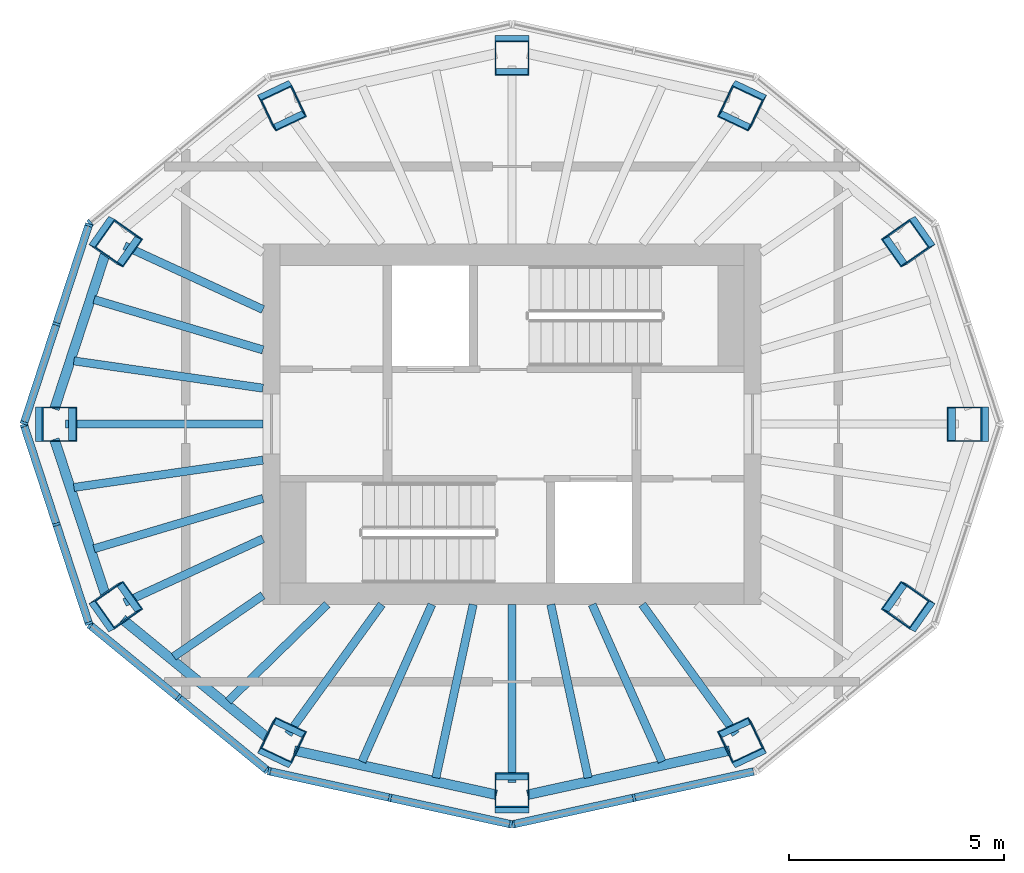
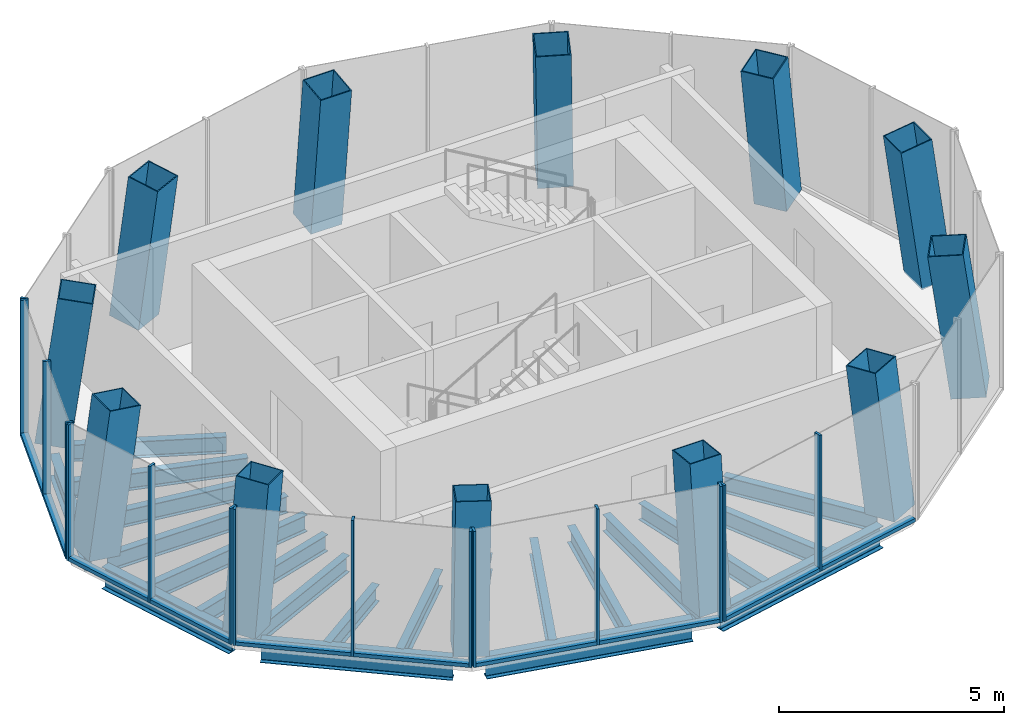
# One storey, part 1 of 5: 25 members, 21 beams, 12 columns, 6 elements without a shape of their own.
"""IFC4 building model written with IfcOpenShell, lengths in metres."""

from ifc_helpers import new_model, si_unit, direction, frame, origin, origin_2d, place, context, subcontext, project, spatial, rectangle, hollow_rectangle, i_section, extrude, material, layer, layer_set, material_profile, profile_set, type_object, element, aggregate, save


model = new_model("IFC4")

# Units and contexts
model_context = context("Model", 3, precision=1e-05, world=origin(), true_north=direction((0.0, 1.0)))
body_context = subcontext(model_context, "Body", "Model", "MODEL_VIEW")
ifc_project = project(units=[si_unit("LENGTHUNIT", "METRE"), si_unit("AREAUNIT", "SQUARE_METRE"), si_unit("VOLUMEUNIT", "CUBIC_METRE"), si_unit("PLANEANGLEUNIT", "RADIAN"), si_unit("MASSUNIT", "GRAM", prefix="KILO")], contexts=[model_context])

# Site, building, storey
site_placement = place(None, origin())
site = spatial("IfcSite", under=ifc_project, at=site_placement, CompositionType="ELEMENT")
building_placement = place(site_placement, origin())
building = spatial("IfcBuilding", under=site, at=building_placement, Name="Siaravel Broadcast Tower", CompositionType="ELEMENT")
storey_placement = place(building_placement, frame((0.0, 0.0, 284.300048828125)))
storey = spatial("IfcBuildingStorey", under=building, at=storey_placement, Name="L69", CompositionType="ELEMENT", Elevation=284.300048828125)

# Columns
ifc_material_1 = material(Name="Concrete C50/60", Category="concrete")
ifc_material_profile_1 = material_profile(ifc_material_1, hollow_rectangle(XDim=0.800048828125, YDim=0.800048828125, WallThickness=0.02490234375, at=origin_2d()))
ifc_profile_set_1 = profile_set([ifc_material_profile_1], Name="Concrete C50/60")
column_type = type_object("IfcColumnType", Name="Crown rib CFT BOX 800x800x25", PredefinedType="COLUMN", material=ifc_profile_set_1)
column_1_placement = place(storey_placement, frame((10.70263671875, 0.0, 0.0), z_axis=(-0.136861927, 0.0, 0.990590134), x_axis=(0.0, -1.0, 0.0)))
element("IfcColumn", 1, at=column_1_placement, inside=storey, type_object=column_type, Name="Crown rib 01", PredefinedType="COLUMN", context=body_context, shape_type="SweptSolid", body=[
    extrude(hollow_rectangle(XDim=0.800048828125, YDim=0.800048828125, WallThickness=0.02490234375, at=origin_2d()), origin(), (0.0, 0.0, 1.0), 3.93701171875),
])
column_2_placement = place(storey_placement, frame((9.299072265625, 4.2802734375, 0.0), z_axis=(-0.119034705, -0.054800649, 0.991376633), x_axis=(0.574755771, -0.817978965, 0.023795301)))
element("IfcColumn", 2, at=column_2_placement, inside=storey, type_object=column_type, Name="Crown rib 02", PredefinedType="COLUMN", context=body_context, shape_type="SweptSolid", body=[
    extrude(hollow_rectangle(XDim=0.800048828125, YDim=0.800048828125, WallThickness=0.02490234375, at=origin_2d()), origin(), (0.0, 0.0, 1.0), 3.933837890625),
])
column_3_placement = place(storey_placement, frame((5.396240234375, 7.4716796875, 0.0), z_axis=(-0.069187562, -0.095793381, 0.992993811), x_axis=(0.903250872, -0.428569359, 0.021590888)))
element("IfcColumn", 3, at=column_3_placement, inside=storey, type_object=column_type, Name="Crown rib 03", PredefinedType="COLUMN", context=body_context, shape_type="SweptSolid", body=[
    extrude(hollow_rectangle(XDim=0.800048828125, YDim=0.800048828125, WallThickness=0.02490234375, at=origin_2d()), origin(), (0.0, 0.0, 1.0), 3.927490234375),
])
column_4_placement = place(storey_placement, frame((0.0, 8.65478515625, 0.0), z_axis=(0.0, -0.111114337, 0.993807629), x_axis=(1.0, 0.0, 0.0)))
element("IfcColumn", 4, at=column_4_placement, inside=storey, type_object=column_type, Name="Crown rib 04", PredefinedType="COLUMN", context=body_context, shape_type="SweptSolid", body=[
    extrude(hollow_rectangle(XDim=0.800048828125, YDim=0.800048828125, WallThickness=0.02490234375, at=origin_2d()), origin(), (0.0, 0.0, 1.0), 3.92431640625),
])
column_5_placement = place(storey_placement, frame((-5.396240234375, 7.4716796875, 0.0), z_axis=(0.069187562, -0.095793381, 0.992993811), x_axis=(0.903250872, 0.428569359, -0.021590888)))
element("IfcColumn", 5, at=column_5_placement, inside=storey, type_object=column_type, Name="Crown rib 05", PredefinedType="COLUMN", context=body_context, shape_type="SweptSolid", body=[
    extrude(hollow_rectangle(XDim=0.800048828125, YDim=0.800048828125, WallThickness=0.02490234375, at=origin_2d()), origin(), (0.0, 0.0, 1.0), 3.927490234375),
])
column_6_placement = place(storey_placement, frame((-9.299072265625, 4.2802734375, 0.0), z_axis=(0.119034705, -0.054800649, 0.991376633), x_axis=(0.574755771, 0.817978965, -0.023795301)))
element("IfcColumn", 6, at=column_6_placement, inside=storey, type_object=column_type, Name="Crown rib 06", PredefinedType="COLUMN", context=body_context, shape_type="SweptSolid", body=[
    extrude(hollow_rectangle(XDim=0.800048828125, YDim=0.800048828125, WallThickness=0.02490234375, at=origin_2d()), origin(), (0.0, 0.0, 1.0), 3.933837890625),
])
column_7_placement = place(storey_placement, frame((-10.70263671875, 0.0, 0.0), z_axis=(0.136861927, 0.0, 0.990590134), x_axis=(0.0, 1.0, 0.0)))
element("IfcColumn", 7, at=column_7_placement, inside=storey, type_object=column_type, Name="Crown rib 07", PredefinedType="COLUMN", context=body_context, shape_type="SweptSolid", body=[
    extrude(hollow_rectangle(XDim=0.800048828125, YDim=0.800048828125, WallThickness=0.02490234375, at=origin_2d()), origin(), (0.0, 0.0, 1.0), 3.93701171875),
])
column_8_placement = place(storey_placement, frame((-9.299072265625, -4.2802734375, 0.0), z_axis=(0.119034705, 0.054800649, 0.991376633), x_axis=(-0.574755771, 0.817978965, 0.023795301)))
element("IfcColumn", 8, at=column_8_placement, inside=storey, type_object=column_type, Name="Crown rib 08", PredefinedType="COLUMN", context=body_context, shape_type="SweptSolid", body=[
    extrude(hollow_rectangle(XDim=0.800048828125, YDim=0.800048828125, WallThickness=0.02490234375, at=origin_2d()), origin(), (0.0, 0.0, 1.0), 3.933837890625),
])
column_9_placement = place(storey_placement, frame((-5.396240234375, -7.4716796875, 0.0), z_axis=(0.069187562, 0.095793381, 0.992993811), x_axis=(-0.903250872, 0.428569359, 0.021590888)))
element("IfcColumn", 9, at=column_9_placement, inside=storey, type_object=column_type, Name="Crown rib 09", PredefinedType="COLUMN", context=body_context, shape_type="SweptSolid", body=[
    extrude(hollow_rectangle(XDim=0.800048828125, YDim=0.800048828125, WallThickness=0.02490234375, at=origin_2d()), origin(), (0.0, 0.0, 1.0), 3.927490234375),
])
column_10_placement = place(storey_placement, frame((0.0, -8.65478515625, 0.0), z_axis=(0.0, 0.111114337, 0.993807629), x_axis=(-1.0, 0.0, 0.0)))
element("IfcColumn", 10, at=column_10_placement, inside=storey, type_object=column_type, Name="Crown rib 10", PredefinedType="COLUMN", context=body_context, shape_type="SweptSolid", body=[
    extrude(hollow_rectangle(XDim=0.800048828125, YDim=0.800048828125, WallThickness=0.02490234375, at=origin_2d()), origin(), (0.0, 0.0, 1.0), 3.92431640625),
])
column_11_placement = place(storey_placement, frame((5.396240234375, -7.4716796875, 0.0), z_axis=(-0.069187562, 0.095793381, 0.992993811), x_axis=(-0.903250872, -0.428569359, -0.021590888)))
element("IfcColumn", 11, at=column_11_placement, inside=storey, type_object=column_type, Name="Crown rib 11", PredefinedType="COLUMN", context=body_context, shape_type="SweptSolid", body=[
    extrude(hollow_rectangle(XDim=0.800048828125, YDim=0.800048828125, WallThickness=0.02490234375, at=origin_2d()), origin(), (0.0, 0.0, 1.0), 3.927490234375),
])
column_12_placement = place(storey_placement, frame((9.299072265625, -4.2802734375, 0.0), z_axis=(-0.119034705, 0.054800649, 0.991376633), x_axis=(-0.574755771, -0.817978965, -0.023795301)))
element("IfcColumn", 12, at=column_12_placement, inside=storey, type_object=column_type, Name="Crown rib 12", PredefinedType="COLUMN", context=body_context, shape_type="SweptSolid", body=[
    extrude(hollow_rectangle(XDim=0.800048828125, YDim=0.800048828125, WallThickness=0.02490234375, at=origin_2d()), origin(), (0.0, 0.0, 1.0), 3.933837890625),
])

# Curtain wall, member
ifc_material_2 = material(Name="Aluminium 6063-T6", Category="aluminium")
ifc_layer = layer(ifc_material_2, 0.179931640625)
ifc_layer_set = layer_set([ifc_layer], Name="Aluminium 6063-T6")
curtain_wall_type = type_object("IfcCurtainWallType", Name="Crown glass facet wall", PredefinedType="NOTDEFINED", material=ifc_layer_set)
curtain_wall_1_placement = place(storey_placement, origin())
curtain_wall_1 = element("IfcCurtainWall", 13, at=curtain_wall_1_placement, inside=storey, type_object=curtain_wall_type, Name="L69 Crown glass facet wall 05", PredefinedType="NOTDEFINED")
ifc_material_profile_2 = material_profile(ifc_material_2, rectangle(XDim=0.179931640625, YDim=0.06005859375, at=origin_2d()))
ifc_profile_set_2 = profile_set([ifc_material_profile_2], Name="Aluminium 6063-T6")
member_type_1 = type_object("IfcMemberType", Name="CW-CR mullion", PredefinedType="MULLION", material=ifc_profile_set_2)
member_1_placement = place(storey_placement, frame((-9.822998046875, 4.684814453125, 0.0), z_axis=(0.0, 0.0, 1.0), x_axis=(0.633717624, -0.77356446, 0.0)))
member_1 = element("IfcMember", 14, at=member_1_placement, type_object=member_type_1, Name="CW-CR mullion 3", PredefinedType="MULLION", context=body_context, shape_type="SweptSolid", body=[
    extrude(rectangle(XDim=0.179931640625, YDim=0.06005859375, at=origin_2d()), origin(), (0.0, 0.0, 1.0), 3.699951171875),
])
aggregate(curtain_wall_1, [member_1])

# Curtain wall, members
curtain_wall_2_placement = place(storey_placement, origin())
curtain_wall_2 = element("IfcCurtainWall", 15, at=curtain_wall_2_placement, inside=storey, type_object=curtain_wall_type, Name="L69 Crown glass facet wall 06", PredefinedType="NOTDEFINED")
member_2_placement = place(storey_placement, frame((-9.85546875, 4.63720703125, 0.0), z_axis=(0.0, 0.0, 1.0), x_axis=(0.950457445, -0.310854701, 0.0)))
member_2 = element("IfcMember", 16, at=member_2_placement, type_object=member_type_1, Name="CW-CR mullion 1", PredefinedType="MULLION", context=body_context, shape_type="SweptSolid", body=[
    extrude(rectangle(XDim=0.179931640625, YDim=0.06005859375, at=origin_2d()), origin(), (0.0, 0.0, 1.0), 3.699951171875),
])
member_3_placement = place(storey_placement, frame((-10.609130859375, 2.3330078125, 0.0), z_axis=(0.0, 0.0, 1.0), x_axis=(0.950457445, -0.310854701, 0.0)))
member_3 = element("IfcMember", 17, at=member_3_placement, type_object=member_type_1, Name="CW-CR mullion 2", PredefinedType="MULLION", context=body_context, shape_type="SweptSolid", body=[
    extrude(rectangle(XDim=0.179931640625, YDim=0.06005859375, at=origin_2d()), origin(), (0.0, 0.0, 1.0), 3.699951171875),
])
member_4_placement = place(storey_placement, frame((-11.36279296875, 0.028564453125, 0.0), z_axis=(0.0, 0.0, 1.0), x_axis=(0.950457445, -0.310854701, 0.0)))
member_4 = element("IfcMember", 18, at=member_4_placement, type_object=member_type_1, Name="CW-CR mullion 3", PredefinedType="MULLION", context=body_context, shape_type="SweptSolid", body=[
    extrude(rectangle(XDim=0.179931640625, YDim=0.06005859375, at=origin_2d()), origin(), (0.0, 0.0, 1.0), 3.699951171875),
])

curtain_wall_3_placement = place(storey_placement, origin())
curtain_wall_3 = element("IfcCurtainWall", 19, at=curtain_wall_3_placement, inside=storey, type_object=curtain_wall_type, Name="L69 Crown glass facet wall 07", PredefinedType="NOTDEFINED")
member_5_placement = place(storey_placement, frame((-11.36279296875, -0.028564453125, 0.0), z_axis=(0.0, 0.0, 1.0), x_axis=(0.950457445, 0.310854701, 0.0)))
member_5 = element("IfcMember", 20, at=member_5_placement, type_object=member_type_1, Name="CW-CR mullion 1", PredefinedType="MULLION", context=body_context, shape_type="SweptSolid", body=[
    extrude(rectangle(XDim=0.179931640625, YDim=0.06005859375, at=origin_2d()), origin(), (0.0, 0.0, 1.0), 3.699951171875),
])
member_6_placement = place(storey_placement, frame((-10.609130859375, -2.3330078125, 0.0), z_axis=(0.0, 0.0, 1.0), x_axis=(0.950457445, 0.310854701, 0.0)))
member_6 = element("IfcMember", 21, at=member_6_placement, type_object=member_type_1, Name="CW-CR mullion 2", PredefinedType="MULLION", context=body_context, shape_type="SweptSolid", body=[
    extrude(rectangle(XDim=0.179931640625, YDim=0.06005859375, at=origin_2d()), origin(), (0.0, 0.0, 1.0), 3.699951171875),
])
member_7_placement = place(storey_placement, frame((-9.85546875, -4.63720703125, 0.0), z_axis=(0.0, 0.0, 1.0), x_axis=(0.950457445, 0.310854701, 0.0)))
member_7 = element("IfcMember", 22, at=member_7_placement, type_object=member_type_1, Name="CW-CR mullion 3", PredefinedType="MULLION", context=body_context, shape_type="SweptSolid", body=[
    extrude(rectangle(XDim=0.179931640625, YDim=0.06005859375, at=origin_2d()), origin(), (0.0, 0.0, 1.0), 3.699951171875),
])

curtain_wall_4_placement = place(storey_placement, origin())
curtain_wall_4 = element("IfcCurtainWall", 23, at=curtain_wall_4_placement, inside=storey, type_object=curtain_wall_type, Name="L69 Crown glass facet wall 08", PredefinedType="NOTDEFINED")
member_8_placement = place(storey_placement, frame((-9.822998046875, -4.684814453125, 0.0), z_axis=(0.0, 0.0, 1.0), x_axis=(0.633717624, 0.77356446, 0.0)))
member_8 = element("IfcMember", 24, at=member_8_placement, type_object=member_type_1, Name="CW-CR mullion 1", PredefinedType="MULLION", context=body_context, shape_type="SweptSolid", body=[
    extrude(rectangle(XDim=0.179931640625, YDim=0.06005859375, at=origin_2d()), origin(), (0.0, 0.0, 1.0), 3.699951171875),
])
member_9_placement = place(storey_placement, frame((-7.764404296875, -6.371337890625, 0.0), z_axis=(0.0, 0.0, 1.0), x_axis=(0.633717624, 0.77356446, 0.0)))
member_9 = element("IfcMember", 25, at=member_9_placement, type_object=member_type_1, Name="CW-CR mullion 2", PredefinedType="MULLION", context=body_context, shape_type="SweptSolid", body=[
    extrude(rectangle(XDim=0.179931640625, YDim=0.06005859375, at=origin_2d()), origin(), (0.0, 0.0, 1.0), 3.699951171875),
])
member_10_placement = place(storey_placement, frame((-5.70556640625, -8.057861328125, 0.0), z_axis=(0.0, 0.0, 1.0), x_axis=(0.633717624, 0.77356446, 0.0)))
member_10 = element("IfcMember", 26, at=member_10_placement, type_object=member_type_1, Name="CW-CR mullion 3", PredefinedType="MULLION", context=body_context, shape_type="SweptSolid", body=[
    extrude(rectangle(XDim=0.179931640625, YDim=0.06005859375, at=origin_2d()), origin(), (0.0, 0.0, 1.0), 3.699951171875),
])

curtain_wall_5_placement = place(storey_placement, origin())
curtain_wall_5 = element("IfcCurtainWall", 27, at=curtain_wall_5_placement, inside=storey, type_object=curtain_wall_type, Name="L69 Crown glass facet wall 09", PredefinedType="NOTDEFINED")
member_11_placement = place(storey_placement, frame((-5.653076171875, -8.083251953125, 0.0), z_axis=(0.0, 0.0, 1.0), x_axis=(0.214396093, 0.976746802, 0.0)))
member_11 = element("IfcMember", 28, at=member_11_placement, type_object=member_type_1, Name="CW-CR mullion 1", PredefinedType="MULLION", context=body_context, shape_type="SweptSolid", body=[
    extrude(rectangle(XDim=0.179931640625, YDim=0.06005859375, at=origin_2d()), origin(), (0.0, 0.0, 1.0), 3.699951171875),
])
member_12_placement = place(storey_placement, frame((-2.84130859375, -8.700439453125, 0.0), z_axis=(0.0, 0.0, 1.0), x_axis=(0.214396093, 0.976746802, 0.0)))
member_12 = element("IfcMember", 29, at=member_12_placement, type_object=member_type_1, Name="CW-CR mullion 2", PredefinedType="MULLION", context=body_context, shape_type="SweptSolid", body=[
    extrude(rectangle(XDim=0.179931640625, YDim=0.06005859375, at=origin_2d()), origin(), (0.0, 0.0, 1.0), 3.699951171875),
])
member_13_placement = place(storey_placement, frame((-0.029296875, -9.317626953125, 0.0), z_axis=(0.0, 0.0, 1.0), x_axis=(0.214396093, 0.976746802, 0.0)))
member_13 = element("IfcMember", 30, at=member_13_placement, type_object=member_type_1, Name="CW-CR mullion 3", PredefinedType="MULLION", context=body_context, shape_type="SweptSolid", body=[
    extrude(rectangle(XDim=0.179931640625, YDim=0.06005859375, at=origin_2d()), origin(), (0.0, 0.0, 1.0), 3.699951171875),
])

curtain_wall_6_placement = place(storey_placement, origin())
curtain_wall_6 = element("IfcCurtainWall", 31, at=curtain_wall_6_placement, inside=storey, type_object=curtain_wall_type, Name="L69 Crown glass facet wall 10", PredefinedType="NOTDEFINED")
member_14_placement = place(storey_placement, frame((0.029296875, -9.317626953125, 0.0), z_axis=(0.0, 0.0, 1.0), x_axis=(-0.214396093, 0.976746802, 0.0)))
member_14 = element("IfcMember", 32, at=member_14_placement, type_object=member_type_1, Name="CW-CR mullion 1", PredefinedType="MULLION", context=body_context, shape_type="SweptSolid", body=[
    extrude(rectangle(XDim=0.179931640625, YDim=0.06005859375, at=origin_2d()), origin(), (0.0, 0.0, 1.0), 3.699951171875),
])
member_15_placement = place(storey_placement, frame((2.84130859375, -8.700439453125, 0.0), z_axis=(0.0, 0.0, 1.0), x_axis=(-0.214396093, 0.976746802, 0.0)))
member_15 = element("IfcMember", 33, at=member_15_placement, type_object=member_type_1, Name="CW-CR mullion 2", PredefinedType="MULLION", context=body_context, shape_type="SweptSolid", body=[
    extrude(rectangle(XDim=0.179931640625, YDim=0.06005859375, at=origin_2d()), origin(), (0.0, 0.0, 1.0), 3.699951171875),
])

# Member
ifc_material_profile_3 = material_profile(ifc_material_2, rectangle(XDim=0.179931640625, YDim=0.10009765625, at=origin_2d()))
ifc_profile_set_3 = profile_set([ifc_material_profile_3], Name="Aluminium 6063-T6")
member_type_2 = type_object("IfcMemberType", Name="CW-CR transom", PredefinedType="USERDEFINED", material=ifc_profile_set_3)
member_16_placement = place(storey_placement, frame((-9.86474609375, 4.60888671875, 0.050048828125), z_axis=(-0.310864415, -0.950454268, 0.0), x_axis=(0.950454268, -0.310864415, 0.0)))
member_16 = element("IfcMember", 34, at=member_16_placement, type_object=member_type_2, Name="CW-CR transom 1", ObjectType="TRANSOM", PredefinedType="USERDEFINED", context=body_context, shape_type="SweptSolid", body=[
    extrude(rectangle(XDim=0.179931640625, YDim=0.10009765625, at=origin_2d()), origin(), (0.0, 0.0, 1.0), 2.36474609375),
])

member_17_placement = place(storey_placement, frame((-10.618408203125, 2.304443359375, 0.050048828125), z_axis=(-0.310864415, -0.950454268, 0.0), x_axis=(0.950454268, -0.310864415, 0.0)))
member_17 = element("IfcMember", 35, at=member_17_placement, type_object=member_type_2, Name="CW-CR transom 2", ObjectType="TRANSOM", PredefinedType="USERDEFINED", context=body_context, shape_type="SweptSolid", body=[
    extrude(rectangle(XDim=0.179931640625, YDim=0.10009765625, at=origin_2d()), origin(), (0.0, 0.0, 1.0), 2.36474609375),
])

aggregate(curtain_wall_2, [member_2, member_3, member_4, member_16, member_17])

member_18_placement = place(storey_placement, frame((-11.353515625, -0.056884765625, 0.050048828125), z_axis=(0.310864415, -0.950454268, 0.0), x_axis=(0.950454268, 0.310864415, 0.0)))
member_18 = element("IfcMember", 36, at=member_18_placement, type_object=member_type_2, Name="CW-CR transom 1", ObjectType="TRANSOM", PredefinedType="USERDEFINED", context=body_context, shape_type="SweptSolid", body=[
    extrude(rectangle(XDim=0.179931640625, YDim=0.10009765625, at=origin_2d()), origin(), (0.0, 0.0, 1.0), 2.36474609375),
])

member_19_placement = place(storey_placement, frame((-10.599853515625, -2.361328125, 0.050048828125), z_axis=(0.310864415, -0.950454268, 0.0), x_axis=(0.950454268, 0.310864415, 0.0)))
member_19 = element("IfcMember", 37, at=member_19_placement, type_object=member_type_2, Name="CW-CR transom 2", ObjectType="TRANSOM", PredefinedType="USERDEFINED", context=body_context, shape_type="SweptSolid", body=[
    extrude(rectangle(XDim=0.179931640625, YDim=0.10009765625, at=origin_2d()), origin(), (0.0, 0.0, 1.0), 2.36474609375),
])

aggregate(curtain_wall_3, [member_5, member_6, member_7, member_18, member_19])

member_20_placement = place(storey_placement, frame((-9.7998046875, -4.703857421875, 0.050048828125), z_axis=(0.773564069, -0.633718101, 0.0), x_axis=(0.633718101, 0.773564069, 0.0)))
member_20 = element("IfcMember", 38, at=member_20_placement, type_object=member_type_2, Name="CW-CR transom 1", ObjectType="TRANSOM", PredefinedType="USERDEFINED", context=body_context, shape_type="SweptSolid", body=[
    extrude(rectangle(XDim=0.179931640625, YDim=0.10009765625, at=origin_2d()), origin(), (0.0, 0.0, 1.0), 2.601318359375),
])

member_21_placement = place(storey_placement, frame((-7.7412109375, -6.390380859375, 0.050048828125), z_axis=(0.773601757, -0.633672093, 0.0), x_axis=(0.633672093, 0.773601757, 0.0)))
member_21 = element("IfcMember", 39, at=member_21_placement, type_object=member_type_2, Name="CW-CR transom 2", ObjectType="TRANSOM", PredefinedType="USERDEFINED", context=body_context, shape_type="SweptSolid", body=[
    extrude(rectangle(XDim=0.179931640625, YDim=0.10009765625, at=origin_2d()), origin(), (0.0, 0.0, 1.0), 2.601318359375),
])

aggregate(curtain_wall_4, [member_8, member_9, member_10, member_20, member_21])

member_22_placement = place(storey_placement, frame((-5.623779296875, -8.089599609375, 0.050048828125), z_axis=(0.976734167, -0.214453649, 0.0), x_axis=(0.214453649, 0.976734167, 0.0)))
member_22 = element("IfcMember", 40, at=member_22_placement, type_object=member_type_2, Name="CW-CR transom 1", ObjectType="TRANSOM", PredefinedType="USERDEFINED", context=body_context, shape_type="SweptSolid", body=[
    extrude(rectangle(XDim=0.179931640625, YDim=0.10009765625, at=origin_2d()), origin(), (0.0, 0.0, 1.0), 2.81884765625),
])

member_23_placement = place(storey_placement, frame((-2.81201171875, -8.706787109375, 0.050048828125), z_axis=(0.97673815, -0.214435508, 0.0), x_axis=(0.214435508, 0.97673815, 0.0)))
member_23 = element("IfcMember", 41, at=member_23_placement, type_object=member_type_2, Name="CW-CR transom 2", ObjectType="TRANSOM", PredefinedType="USERDEFINED", context=body_context, shape_type="SweptSolid", body=[
    extrude(rectangle(XDim=0.179931640625, YDim=0.10009765625, at=origin_2d()), origin(), (0.0, 0.0, 1.0), 2.819091796875),
])

aggregate(curtain_wall_5, [member_11, member_12, member_13, member_22, member_23])

member_24_placement = place(storey_placement, frame((0.05859375, -9.311279296875, 0.050048828125), z_axis=(0.97673815, 0.214435508, 0.0), x_axis=(-0.214435508, 0.97673815, 0.0)))
member_24 = element("IfcMember", 42, at=member_24_placement, type_object=member_type_2, Name="CW-CR transom 1", ObjectType="TRANSOM", PredefinedType="USERDEFINED", context=body_context, shape_type="SweptSolid", body=[
    extrude(rectangle(XDim=0.179931640625, YDim=0.10009765625, at=origin_2d()), origin(), (0.0, 0.0, 1.0), 2.819091796875),
])

member_25_placement = place(storey_placement, frame((2.87060546875, -8.694091796875, 0.050048828125), z_axis=(0.976734167, 0.214453649, 0.0), x_axis=(-0.214453649, 0.976734167, 0.0)))
member_25 = element("IfcMember", 43, at=member_25_placement, type_object=member_type_2, Name="CW-CR transom 2", ObjectType="TRANSOM", PredefinedType="USERDEFINED", context=body_context, shape_type="SweptSolid", body=[
    extrude(rectangle(XDim=0.179931640625, YDim=0.10009765625, at=origin_2d()), origin(), (0.0, 0.0, 1.0), 2.81884765625),
])

aggregate(curtain_wall_6, [member_14, member_15, member_24, member_25])

# Beams
ifc_material_3 = material(Name="Steel S355", Category="steel")
ifc_material_profile_4 = material_profile(ifc_material_3, i_section(OverallWidth=0.18994140625, OverallDepth=0.453369140625, WebThickness=0.008544921875, FlangeThickness=0.0126953125, FilletRadius=0.01025390625, at=origin_2d()))
ifc_profile_set_4 = profile_set([ifc_material_profile_4], Name="Steel S355")
beam_type_1 = type_object("IfcBeamType", Name="Crown radial beam UB 457x191x67", PredefinedType="BEAM", material=ifc_profile_set_4)
beam_1_placement = place(storey_placement, frame((-9.02294921875, 4.153076171875, -0.4267578125), z_axis=(0.908397945, -0.418106652, 0.0), x_axis=(0.418106652, 0.908397945, 0.0)))
element("IfcBeam", 44, at=beam_1_placement, inside=storey, type_object=beam_type_1, Name="Crown radial beam 4-16", PredefinedType="BEAM", context=body_context, shape_type="SweptSolid", body=[
    extrude(i_section(OverallWidth=0.18994140625, OverallDepth=0.453369140625, WebThickness=0.008544921875, FlangeThickness=0.0126953125, FilletRadius=0.01025390625, at=origin_2d()), origin(), (0.0, 0.0, 1.0), 3.5478515625),
])
beam_2_placement = place(storey_placement, frame((-9.732177734375, 2.9013671875, -0.4267578125), z_axis=(0.958329207, -0.28566612, 0.0), x_axis=(0.28566612, 0.958329207, 0.0)))
element("IfcBeam", 45, at=beam_2_placement, inside=storey, type_object=beam_type_1, Name="Crown radial beam 4-17", PredefinedType="BEAM", context=body_context, shape_type="SweptSolid", body=[
    extrude(i_section(OverallWidth=0.18994140625, OverallDepth=0.453369140625, WebThickness=0.008544921875, FlangeThickness=0.0126953125, FilletRadius=0.01025390625, at=origin_2d()), origin(), (0.0, 0.0, 1.0), 4.10302734375),
])
beam_3_placement = place(storey_placement, frame((-10.20166015625, 1.473388671875, -0.4267578125), z_axis=(0.989729824, -0.142950605, 0.0), x_axis=(0.142950605, 0.989729824, 0.0)))
element("IfcBeam", 46, at=beam_3_placement, inside=storey, type_object=beam_type_1, Name="Crown radial beam 4-18", PredefinedType="BEAM", context=body_context, shape_type="SweptSolid", body=[
    extrude(i_section(OverallWidth=0.18994140625, OverallDepth=0.453369140625, WebThickness=0.008544921875, FlangeThickness=0.0126953125, FilletRadius=0.01025390625, at=origin_2d()), origin(), (0.0, 0.0, 1.0), 4.447265625),
])
beam_4_placement = place(storey_placement, frame((-10.40185546875, 0.0, -0.4267578125), z_axis=(1.0, 0.0, 0.0), x_axis=(0.0, 1.0, 0.0)))
element("IfcBeam", 47, at=beam_4_placement, inside=storey, type_object=beam_type_1, Name="Crown radial beam 4-19", PredefinedType="BEAM", context=body_context, shape_type="SweptSolid", body=[
    extrude(i_section(OverallWidth=0.18994140625, OverallDepth=0.453369140625, WebThickness=0.008544921875, FlangeThickness=0.0126953125, FilletRadius=0.01025390625, at=origin_2d()), origin(), (0.0, 0.0, 1.0), 4.601806640625),
])
beam_5_placement = place(storey_placement, frame((-10.20166015625, -1.473388671875, -0.4267578125), z_axis=(0.989729824, 0.142950605, 0.0), x_axis=(-0.142950605, 0.989729824, 0.0)))
element("IfcBeam", 48, at=beam_5_placement, inside=storey, type_object=beam_type_1, Name="Crown radial beam 4-20", PredefinedType="BEAM", context=body_context, shape_type="SweptSolid", body=[
    extrude(i_section(OverallWidth=0.18994140625, OverallDepth=0.453369140625, WebThickness=0.008544921875, FlangeThickness=0.0126953125, FilletRadius=0.01025390625, at=origin_2d()), origin(), (0.0, 0.0, 1.0), 4.447265625),
])
beam_6_placement = place(storey_placement, frame((-9.732177734375, -2.9013671875, -0.4267578125), z_axis=(0.958329207, 0.28566612, 0.0), x_axis=(-0.28566612, 0.958329207, 0.0)))
element("IfcBeam", 49, at=beam_6_placement, inside=storey, type_object=beam_type_1, Name="Crown radial beam 4-21", PredefinedType="BEAM", context=body_context, shape_type="SweptSolid", body=[
    extrude(i_section(OverallWidth=0.18994140625, OverallDepth=0.453369140625, WebThickness=0.008544921875, FlangeThickness=0.0126953125, FilletRadius=0.01025390625, at=origin_2d()), origin(), (0.0, 0.0, 1.0), 4.10302734375),
])
beam_7_placement = place(storey_placement, frame((-9.02294921875, -4.153076171875, -0.4267578125), z_axis=(0.908397945, 0.418106652, 0.0), x_axis=(-0.418106652, 0.908397945, 0.0)))
element("IfcBeam", 50, at=beam_7_placement, inside=storey, type_object=beam_type_1, Name="Crown radial beam 4-22", PredefinedType="BEAM", context=body_context, shape_type="SweptSolid", body=[
    extrude(i_section(OverallWidth=0.18994140625, OverallDepth=0.453369140625, WebThickness=0.008544921875, FlangeThickness=0.0126953125, FilletRadius=0.01025390625, at=origin_2d()), origin(), (0.0, 0.0, 1.0), 3.5478515625),
])
beam_8_placement = place(storey_placement, frame((-7.878173828125, -5.414794921875, -0.4267578125), z_axis=(0.824132313, 0.566397325, 0.0), x_axis=(-0.566397325, 0.824132313, 0.0)))
element("IfcBeam", 51, at=beam_8_placement, inside=storey, type_object=beam_type_1, Name="Crown radial beam 4-23", PredefinedType="BEAM", context=body_context, shape_type="SweptSolid", body=[
    extrude(i_section(OverallWidth=0.18994140625, OverallDepth=0.453369140625, WebThickness=0.008544921875, FlangeThickness=0.0126953125, FilletRadius=0.01025390625, at=origin_2d()), origin(), (0.0, 0.0, 1.0), 2.521484375),
])
beam_9_placement = place(storey_placement, frame((-6.607666015625, -6.4501953125, -0.4267578125), z_axis=(0.715581422, 0.698529333, 0.0), x_axis=(-0.698529333, 0.715581422, 0.0)))
element("IfcBeam", 52, at=beam_9_placement, inside=storey, type_object=beam_type_1, Name="Crown radial beam 4-24", PredefinedType="BEAM", context=body_context, shape_type="SweptSolid", body=[
    extrude(i_section(OverallWidth=0.18994140625, OverallDepth=0.453369140625, WebThickness=0.008544921875, FlangeThickness=0.0126953125, FilletRadius=0.01025390625, at=origin_2d()), origin(), (0.0, 0.0, 1.0), 3.221435546875),
])
beam_10_placement = place(storey_placement, frame((-5.21435546875, -7.219970703125, -0.4267578125), z_axis=(0.585452267, 0.810706878, 0.0), x_axis=(-0.810706878, 0.585452267, 0.0)))
element("IfcBeam", 53, at=beam_10_placement, inside=storey, type_object=beam_type_1, Name="Crown radial beam 4-25", PredefinedType="BEAM", context=body_context, shape_type="SweptSolid", body=[
    extrude(i_section(OverallWidth=0.18994140625, OverallDepth=0.453369140625, WebThickness=0.008544921875, FlangeThickness=0.0126953125, FilletRadius=0.01025390625, at=origin_2d()), origin(), (0.0, 0.0, 1.0), 3.72509765625),
])
beam_11_placement = place(storey_placement, frame((-3.492919921875, -7.860595703125, -0.4267578125), z_axis=(0.406087572, 0.913834167, 0.0), x_axis=(-0.913834167, 0.406087572, 0.0)))
element("IfcBeam", 54, at=beam_11_placement, inside=storey, type_object=beam_type_1, Name="Crown radial beam 4-26", PredefinedType="BEAM", context=body_context, shape_type="SweptSolid", body=[
    extrude(i_section(OverallWidth=0.18994140625, OverallDepth=0.453369140625, WebThickness=0.008544921875, FlangeThickness=0.0126953125, FilletRadius=0.01025390625, at=origin_2d()), origin(), (0.0, 0.0, 1.0), 4.005859375),
])
beam_12_placement = place(storey_placement, frame((-1.77294921875, -8.236083984375, -0.4267578125), z_axis=(0.21045783, 0.977602937, 0.0), x_axis=(-0.977602937, 0.21045783, 0.0)))
element("IfcBeam", 55, at=beam_12_placement, inside=storey, type_object=beam_type_1, Name="Crown radial beam 4-27", PredefinedType="BEAM", context=body_context, shape_type="SweptSolid", body=[
    extrude(i_section(OverallWidth=0.18994140625, OverallDepth=0.453369140625, WebThickness=0.008544921875, FlangeThickness=0.0126953125, FilletRadius=0.01025390625, at=origin_2d()), origin(), (0.0, 0.0, 1.0), 4.128662109375),
])
beam_13_placement = place(storey_placement, frame((0.0, -8.340576171875, -0.4267578125), z_axis=(0.0, 1.0, 0.0), x_axis=(-1.0, 0.0, 0.0)))
element("IfcBeam", 56, at=beam_13_placement, inside=storey, type_object=beam_type_1, Name="Crown radial beam 4-28", PredefinedType="BEAM", context=body_context, shape_type="SweptSolid", body=[
    extrude(i_section(OverallWidth=0.18994140625, OverallDepth=0.453369140625, WebThickness=0.008544921875, FlangeThickness=0.0126953125, FilletRadius=0.01025390625, at=origin_2d()), origin(), (0.0, 0.0, 1.0), 4.140625),
])
beam_14_placement = place(storey_placement, frame((1.77294921875, -8.236083984375, -0.4267578125), z_axis=(-0.21045783, 0.977602937, 0.0), x_axis=(-0.977602937, -0.21045783, 0.0)))
element("IfcBeam", 57, at=beam_14_placement, inside=storey, type_object=beam_type_1, Name="Crown radial beam 4-29", PredefinedType="BEAM", context=body_context, shape_type="SweptSolid", body=[
    extrude(i_section(OverallWidth=0.18994140625, OverallDepth=0.453369140625, WebThickness=0.008544921875, FlangeThickness=0.0126953125, FilletRadius=0.01025390625, at=origin_2d()), origin(), (0.0, 0.0, 1.0), 4.128662109375),
])
beam_15_placement = place(storey_placement, frame((3.492919921875, -7.860595703125, -0.4267578125), z_axis=(-0.406087572, 0.913834167, 0.0), x_axis=(-0.913834167, -0.406087572, 0.0)))
element("IfcBeam", 58, at=beam_15_placement, inside=storey, type_object=beam_type_1, Name="Crown radial beam 4-30", PredefinedType="BEAM", context=body_context, shape_type="SweptSolid", body=[
    extrude(i_section(OverallWidth=0.18994140625, OverallDepth=0.453369140625, WebThickness=0.008544921875, FlangeThickness=0.0126953125, FilletRadius=0.01025390625, at=origin_2d()), origin(), (0.0, 0.0, 1.0), 4.005859375),
])
beam_16_placement = place(storey_placement, frame((5.21435546875, -7.219970703125, -0.4267578125), z_axis=(-0.585452267, 0.810706878, 0.0), x_axis=(-0.810706878, -0.585452267, 0.0)))
element("IfcBeam", 59, at=beam_16_placement, inside=storey, type_object=beam_type_1, Name="Crown radial beam 4-31", PredefinedType="BEAM", context=body_context, shape_type="SweptSolid", body=[
    extrude(i_section(OverallWidth=0.18994140625, OverallDepth=0.453369140625, WebThickness=0.008544921875, FlangeThickness=0.0126953125, FilletRadius=0.01025390625, at=origin_2d()), origin(), (0.0, 0.0, 1.0), 3.72509765625),
])
ifc_material_profile_5 = material_profile(ifc_material_3, i_section(OverallWidth=0.2275390625, OverallDepth=0.6025390625, WebThickness=0.010498046875, FlangeThickness=0.014892578125, FilletRadius=0.0126953125, at=origin_2d()))
ifc_profile_set_5 = profile_set([ifc_material_profile_5], Name="Steel S355")
beam_type_2 = type_object("IfcBeamType", Name="Crown ring beam UB 610x229x101", PredefinedType="SPANDREL", material=ifc_profile_set_5)
for number, where, z_axis, x_axis, name in (
    (60, (-9.474365234375, 3.956298828125, -0.50146484375), (-0.31160973, -0.950210175, 0.0), (0.950210175, -0.31160973, 0.0), "Crown ring beam 4-06"),
    (61, (-10.656494140625, -0.3515625, -0.50146484375), (0.31160973, -0.950210175, 0.0), (0.950210175, 0.31160973, 0.0), "Crown ring beam 4-07"),
):
    element("IfcBeam", number, at=place(storey_placement, frame(where, z_axis=z_axis, x_axis=x_axis)), inside=storey, type_object=beam_type_2, Name=name, PredefinedType="SPANDREL", context=body_context, shape_type="SweptSolid", body=[
        extrude(i_section(OverallWidth=0.2275390625, OverallDepth=0.6025390625, WebThickness=0.010498046875, FlangeThickness=0.014892578125, FilletRadius=0.0126953125, at=origin_2d()), origin(), (0.0, 0.0, 1.0), 3.793701171875),
    ])
beam_17_placement = place(storey_placement, frame((-9.072509765625, -4.5419921875, -0.50146484375), z_axis=(0.774107867, -0.633053719, 0.0), x_axis=(0.633053719, 0.774107867, 0.0)))
element("IfcBeam", 62, at=beam_17_placement, inside=storey, type_object=beam_type_2, Name="Crown ring beam 4-08", PredefinedType="SPANDREL", context=body_context, shape_type="SweptSolid", body=[
    extrude(i_section(OverallWidth=0.2275390625, OverallDepth=0.6025390625, WebThickness=0.010498046875, FlangeThickness=0.014892578125, FilletRadius=0.0126953125, at=origin_2d()), origin(), (0.0, 0.0, 1.0), 4.333984375),
])
for number, where, z_axis, x_axis, name in (
    (63, (-5.069580078125, -7.59912109375, -0.50146484375), (0.976800451, -0.214151533, 0.0), (0.214151533, 0.976800451, 0.0), "Crown ring beam 4-09"),
    (64, (0.361328125, -8.63134765625, -0.50146484375), (0.976800451, 0.214151533, 0.0), (-0.214151533, 0.976800451, 0.0), "Crown ring beam 4-10"),
):
    element("IfcBeam", number, at=place(storey_placement, frame(where, z_axis=z_axis, x_axis=x_axis)), inside=storey, type_object=beam_type_2, Name=name, PredefinedType="SPANDREL", context=body_context, shape_type="SweptSolid", body=[
        extrude(i_section(OverallWidth=0.2275390625, OverallDepth=0.6025390625, WebThickness=0.010498046875, FlangeThickness=0.014892578125, FilletRadius=0.0126953125, at=origin_2d()), origin(), (0.0, 0.0, 1.0), 4.820068359375),
    ])

save(model, "model.ifc")
